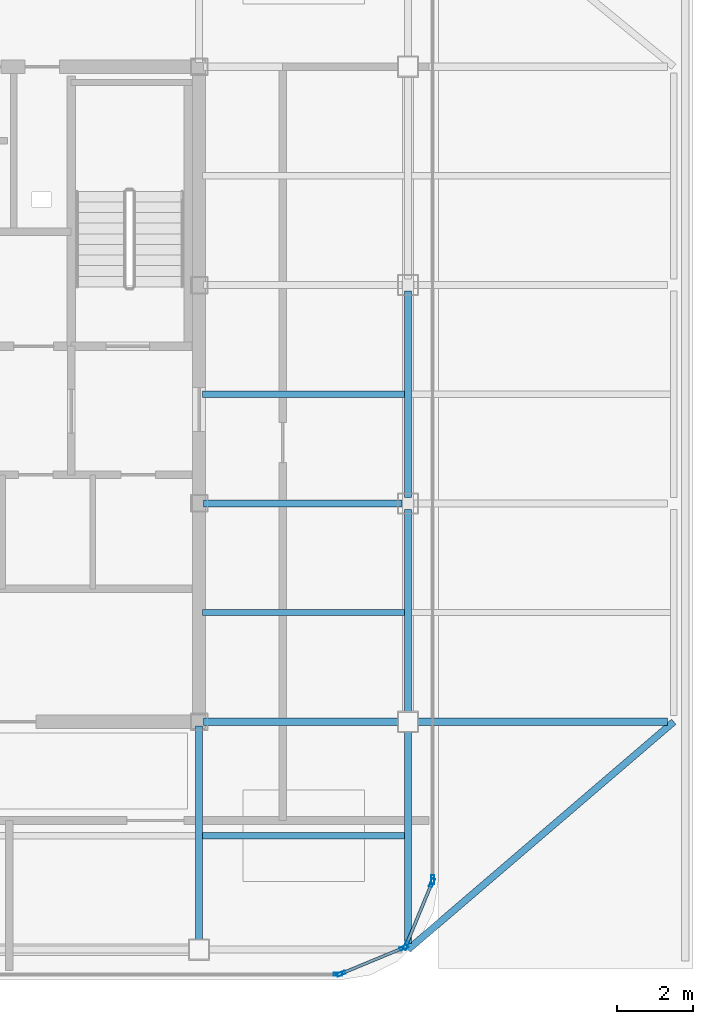
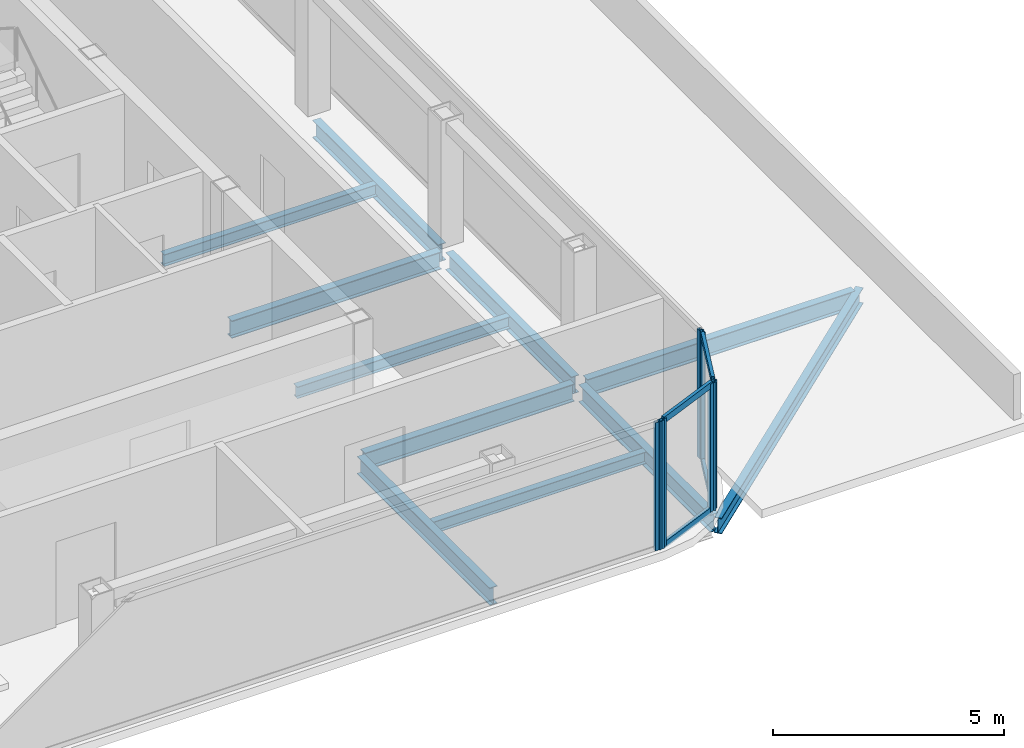
# One storey, part 4 of 11: 11 beams, 10 members, 4 elements without a shape of their own.
"""IFC4 building model written with IfcOpenShell, lengths in metres."""

import ifcopenshell
import ifcopenshell.guid

model = None  # the IFC model being written
_history = None  # IfcOwnerHistory: only IFC2X3 demands one
_inside = {}  # id of a spatial element -> (the spatial element, [elements in it])
_under = {}  # id of a project, library or spatial element -> (it, [spatial elements below it])
_declared = {}  # id of a project -> (the project, [libraries it declares])
_typed = {}  # id of a type object -> (the type object, [elements of that type])
_made_of = {}  # id of a material, layer set ... -> (it, [elements and type objects made of it])


def new_model(schema):
    """Start an empty IFC model of exactly this schema.

    Asked for "IFC4X3", IfcOpenShell would pick the latest addendum, in which some entities
    have other attributes; the version numbers below select the first issue.
    IFC2X3 requires an IfcOwnerHistory on every rooted entity: one is made here for all.
    """
    global model, _history
    if schema == "IFC4X3":
        model = ifcopenshell.file(schema_version=(4, 3, 0, 0))
    else:
        model = ifcopenshell.file(schema=schema)
    _inside.clear()
    _under.clear()
    _declared.clear()
    _typed.clear()
    _made_of.clear()
    _history = None
    if model.schema == "IFC2X3":
        org = make("IfcOrganization", Name="unknown")
        user = make(
            "IfcPersonAndOrganization",
            ThePerson=make("IfcPerson", FamilyName="unknown"),
            TheOrganization=org,
        )
        app = make(
            "IfcApplication",
            ApplicationDeveloper=org,
            Version="unknown",
            ApplicationFullName="unknown",
            ApplicationIdentifier="unknown",
        )
        _history = make(
            "IfcOwnerHistory",
            OwningUser=user,
            OwningApplication=app,
            ChangeAction="ADDED",
            CreationDate=0,
        )
    return model


def make(cls, **values):
    """One entity of the class cls with the attributes given. An attribute that is None is left unset."""
    return model.create_entity(
        cls, **{name: value for name, value in values.items() if value is not None}
    )


def rooted(cls, **values):
    """An entity with a GlobalId (a new one), such as an element, a storey or a relation."""
    return make(cls, GlobalId=ifcopenshell.guid.new(), OwnerHistory=_history, **values)


def si_unit(unit_type, name, prefix=None):
    """IfcSIUnit, for example si_unit("LENGTHUNIT", "METRE", prefix="MILLI")."""
    return make("IfcSIUnit", UnitType=unit_type, Prefix=prefix, Name=name)


def assignment(units):
    """IfcUnitAssignment: the units of a project."""
    return None if units is None else make("IfcUnitAssignment", Units=units)


def point(xyz):
    """IfcCartesianPoint."""
    return None if xyz is None else make("IfcCartesianPoint", Coordinates=xyz)


def direction(xyz):
    """IfcDirection."""
    return None if xyz is None else make("IfcDirection", DirectionRatios=xyz)


def frame(location, z_axis=None, x_axis=None):
    """IfcAxis2Placement3D, a coordinate frame: its origin and axes. An axis left out is left unset."""
    return make(
        "IfcAxis2Placement3D",
        Location=point(location),
        Axis=direction(z_axis),
        RefDirection=direction(x_axis),
    )


def frame_2d(location, x_axis=None):
    """IfcAxis2Placement2D, a coordinate frame in the plane: its origin and x axis."""
    return make(
        "IfcAxis2Placement2D", Location=point(location), RefDirection=direction(x_axis)
    )


def origin():
    """The frame at (0, 0, 0) with its axes left unset."""
    return frame((0.0, 0.0, 0.0))


def origin_2d():
    """The frame at (0, 0) in the plane with its x axis left unset."""
    return frame_2d((0.0, 0.0))


def place(relative_to, where):
    """IfcLocalPlacement: puts the frame where relative to a parent placement (None: the world)."""
    return make(
        "IfcLocalPlacement", PlacementRelTo=relative_to, RelativePlacement=where
    )


def context(
    kind, dimensions, precision=None, world=None, true_north=None, identifier=None
):
    """IfcGeometricRepresentationContext, for example the 3D "Model" context."""
    return make(
        "IfcGeometricRepresentationContext",
        ContextIdentifier=identifier,
        ContextType=kind,
        CoordinateSpaceDimension=dimensions,
        Precision=precision,
        WorldCoordinateSystem=world,
        TrueNorth=true_north,
    )


def subcontext(parent, identifier, kind, view, scale=None):
    """IfcGeometricRepresentationSubContext, for example "Body" below "Model"."""
    return make(
        "IfcGeometricRepresentationSubContext",
        ContextIdentifier=identifier,
        ContextType=kind,
        ParentContext=parent,
        TargetScale=scale,
        TargetView=view,
    )


def project(units=None, contexts=None):
    """IfcProject with its units and contexts."""
    return rooted(
        "IfcProject",
        Name="project",
        RepresentationContexts=contexts,
        UnitsInContext=assignment(units),
    )


def spatial(cls, under=None, at=None, **own):
    """A site, building, storey or space (cls), placed at a placement, below another one or the project."""
    s = rooted(cls, ObjectPlacement=at, **own)
    if under is not None:
        _under.setdefault(under.id(), (under, []))[1].append(s)
    return s


def profile(cls, at=None, kind="AREA", **sizes):
    """A parametric profile (cls). Its sizes go by their IFC names, for example OverallWidth=200.0."""
    return make(cls, ProfileType=kind, Position=at, **sizes)


def hollow_rectangle(**sizes):
    """IfcRectangleHollowProfileDef."""
    return profile("IfcRectangleHollowProfileDef", **sizes)


def i_section(**sizes):
    """IfcIShapeProfileDef."""
    return profile("IfcIShapeProfileDef", **sizes)


def extrude(swept, where, along, depth):
    """IfcExtrudedAreaSolid: the profile swept, set in the frame where, extruded along a direction by depth."""
    return make(
        "IfcExtrudedAreaSolid",
        SweptArea=swept,
        Position=where,
        ExtrudedDirection=direction(along),
        Depth=depth,
    )


def shape(context_of_items, identifier, shape_type, items):
    """IfcShapeRepresentation: the items that make up one representation, for example the "Body"."""
    return make(
        "IfcShapeRepresentation",
        ContextOfItems=context_of_items,
        RepresentationIdentifier=identifier,
        RepresentationType=shape_type,
        Items=items,
    )


def source(mapping_origin, context_of_items, identifier, shape_type, items):
    """IfcRepresentationMap: a shape defined once, which mapped items show again and again."""
    return make(
        "IfcRepresentationMap",
        MappingOrigin=mapping_origin,
        MappedRepresentation=shape(context_of_items, identifier, shape_type, items),
    )


def transform(
    local_origin,
    x_axis=None,
    y_axis=None,
    z_axis=None,
    scale=None,
    scale2=None,
    scale3=None,
    uniform=True,
):
    """IfcCartesianTransformationOperator3D, or its non-uniform kind. x_axis, y_axis, z_axis: its Axis1, 2, 3."""
    if uniform:
        return make(
            "IfcCartesianTransformationOperator3D",
            Axis1=direction(x_axis),
            Axis2=direction(y_axis),
            LocalOrigin=point(local_origin),
            Scale=scale,
            Axis3=direction(z_axis),
        )
    return make(
        "IfcCartesianTransformationOperator3DnonUniform",
        Axis1=direction(x_axis),
        Axis2=direction(y_axis),
        LocalOrigin=point(local_origin),
        Scale=scale,
        Axis3=direction(z_axis),
        Scale2=scale2,
        Scale3=scale3,
    )


def mapped(mapping_source, mapping_target):
    """IfcMappedItem: shows the shape of a source again, moved by a transform."""
    return make(
        "IfcMappedItem", MappingSource=mapping_source, MappingTarget=mapping_target
    )


def material(Name=None, Category=None):
    """IfcMaterial."""
    return make("IfcMaterial", Name=Name, Category=Category)


def layer(
    of_material, thickness, ventilated=None, Name=None, Category=None, Priority=None
):
    """IfcMaterialLayer: one layer of a wall or slab, of a material (None: an air gap)."""
    return make(
        "IfcMaterialLayer",
        Material=of_material,
        LayerThickness=thickness,
        IsVentilated=ventilated,
        Name=Name,
        Category=Category,
        Priority=Priority,
    )


def layer_set(layers, Name=None):
    """IfcMaterialLayerSet."""
    return make("IfcMaterialLayerSet", MaterialLayers=layers, LayerSetName=Name)


def material_profile(
    of_material, cross_section, Name=None, Category=None, Priority=None
):
    """IfcMaterialProfile: a cross section and its material."""
    return make(
        "IfcMaterialProfile",
        Name=Name,
        Material=of_material,
        Profile=cross_section,
        Priority=Priority,
        Category=Category,
    )


def profile_set(profiles, Name=None, composite=None):
    """IfcMaterialProfileSet."""
    return make(
        "IfcMaterialProfileSet",
        Name=Name,
        MaterialProfiles=profiles,
        CompositeProfile=composite,
    )


def made_of(thing, what):
    """Note that an element or type object is made of a material, layer set ...; save() writes the relation."""
    if what is not None:
        _made_of.setdefault(what.id(), (what, []))[1].append(thing)
    return thing


def type_object(cls, material=None, **own):
    """A type object (cls), such as IfcWallType, which elements share."""
    return made_of(rooted(cls, **own), material)


def element(
    cls,
    number,
    at=None,
    inside=None,
    cuts=None,
    type_object=None,
    material=None,
    context=None,
    identifier="Body",
    shape_type=None,
    held_by="IfcProductDefinitionShape",
    body=None,
    shapes=None,
    **own,
):
    """One element of the class cls, such as IfcWall. Its Tag is "e" and its number.

    at: its placement. inside: the storey or other place that contains it. cuts: it is an
    opening in that element (IfcRelVoidsElement). A single representation is given by context,
    identifier, shape_type and body (its items); several are given by shapes. held_by: the class
    of the entity that holds the representations. save() writes the other relations.
    """
    e = rooted(cls, Tag="e%d" % number, ObjectPlacement=at, **own)
    if body is not None:
        shapes = [shape(context, identifier, shape_type, body)]
    if shapes is not None:
        e.Representation = make(held_by, Representations=shapes)
    if inside is not None:
        _inside.setdefault(inside.id(), (inside, []))[1].append(e)
    if cuts is not None:
        rooted(
            "IfcRelVoidsElement", RelatingBuildingElement=cuts, RelatedOpeningElement=e
        )
    if type_object is not None:
        _typed.setdefault(type_object.id(), (type_object, []))[1].append(e)
    return made_of(e, material)


def aggregate(whole, parts):
    """IfcRelAggregates: a whole, such as a stair, and the parts it consists of."""
    return rooted("IfcRelAggregates", RelatingObject=whole, RelatedObjects=parts)


def save(model, path):
    """Write the relations noted so far, then the file.

    IfcRelAggregates (storeys below a building ...), IfcRelContainedInSpatialStructure (elements
    in a storey), IfcRelDefinesByType, IfcRelAssociatesMaterial and IfcRelDeclares: one each for
    every whole, place, type object, material and project.
    """
    for whole, parts in _under.values():
        aggregate(whole, parts)
    for where, things in _inside.values():
        rooted(
            "IfcRelContainedInSpatialStructure",
            RelatedElements=things,
            RelatingStructure=where,
        )
    for kind, things in _typed.values():
        rooted("IfcRelDefinesByType", RelatedObjects=things, RelatingType=kind)
    for what, things in _made_of.values():
        rooted("IfcRelAssociatesMaterial", RelatedObjects=things, RelatingMaterial=what)
    for by, libraries in _declared.values():
        rooted("IfcRelDeclares", RelatingContext=by, RelatedDefinitions=libraries)
    model.write(path)


model = new_model("IFC4")

# Units and contexts
model_context = context("Model", 3, precision=1e-05, world=origin(), true_north=direction((0.0, 1.0)))
body_context = subcontext(model_context, "Body", "Model", "MODEL_VIEW")
ifc_project = project(units=[si_unit("LENGTHUNIT", "METRE"), si_unit("AREAUNIT", "SQUARE_METRE"), si_unit("VOLUMEUNIT", "CUBIC_METRE"), si_unit("PLANEANGLEUNIT", "RADIAN"), si_unit("MASSUNIT", "GRAM", prefix="KILO")], contexts=[model_context])

# Site, building, storey
site_placement = place(None, origin())
site = spatial("IfcSite", under=ifc_project, at=site_placement, CompositionType="ELEMENT")
building_placement = place(site_placement, origin())
building = spatial("IfcBuilding", under=site, at=building_placement, Name="Kolveth Station Tower", CompositionType="ELEMENT")
storey_placement = place(building_placement, frame((0.0, 0.0, 285.699951171875)))
storey = spatial("IfcBuildingStorey", under=building, at=storey_placement, Name="L82", CompositionType="ELEMENT", Elevation=285.699951171875)

# Beams
ifc_material_1 = material(Name="Steel S355", Category="steel")
ifc_material_profile_1 = material_profile(ifc_material_1, i_section(OverallWidth=0.180908203125, OverallDepth=0.4169921875, WebThickness=0.010986328125, FlangeThickness=0.018310546875, at=origin_2d()), Name="W410x85")
ifc_profile_set_1 = profile_set([ifc_material_profile_1], Name="Steel S355")
beam_type_1 = type_object("IfcBeamType", Name="Beam_B8", PredefinedType="BEAM", material=ifc_profile_set_1)
shared_shape_1 = source(origin(), body_context, "Body", "SweptSolid", [
    extrude(i_section(OverallWidth=0.180908203125, OverallDepth=0.4169921875, WebThickness=0.010986328125, FlangeThickness=0.018310546875, at=origin_2d()), origin(), (0.0, 0.0, 1.0), 9.219482421875),
])
beam_1_placement = place(storey_placement, frame((34.0, 5.5, -0.428466796875), z_axis=(0.759256602365, 0.650791373456, 0.0), x_axis=(-0.650791373456, 0.759256602365, 0.0)))
element("IfcBeam", 1, at=beam_1_placement, inside=storey, type_object=beam_type_1, Name="L82 Corner Edge Girder BM-L82-CNR-SE", PredefinedType="BEAM", context=body_context, shape_type="MappedRepresentation", body=[
    mapped(shared_shape_1, transform((0.0, 0.0, 0.0), x_axis=(1.0, 0.0, 0.0), y_axis=(0.0, 1.0, 0.0), z_axis=(0.0, 0.0, 1.0), scale=1.0)),
])
ifc_material_profile_2 = material_profile(ifc_material_1, i_section(OverallWidth=0.19091796875, OverallDepth=0.4599609375, WebThickness=0.010009765625, FlangeThickness=0.01611328125, at=origin_2d()), Name="W460x82")
ifc_profile_set_2 = profile_set([ifc_material_profile_2], Name="Steel S355")
beam_type_2 = type_object("IfcBeamType", Name="Beam_B7", PredefinedType="BEAM", material=ifc_profile_set_2)
shared_shape_2 = source(origin(), body_context, "Body", "SweptSolid", [
    extrude(i_section(OverallWidth=0.19091796875, OverallDepth=0.4599609375, WebThickness=0.010009765625, FlangeThickness=0.01611328125, at=origin_2d()), origin(), (0.0, 0.0, 1.0), 6.68017578125),
])
beam_2_placement = place(storey_placement, frame((34.159912109375, 11.5, -0.449951171875), z_axis=(1.0, 0.0, 0.0), x_axis=(0.0, 1.0, 0.0)))
element("IfcBeam", 2, at=beam_2_placement, inside=storey, type_object=beam_type_2, Name="L82 Primary Girder BM-L82-GY115-4", PredefinedType="BEAM", context=body_context, shape_type="MappedRepresentation", body=[
    mapped(shared_shape_2, transform((0.0, 0.0, 0.0), x_axis=(1.0, 0.0, 0.0), y_axis=(0.0, 1.0, 0.0), z_axis=(0.0, 0.0, 1.0), scale=1.0)),
])
shared_shape_3 = source(origin(), body_context, "Body", "SweptSolid", [
    extrude(i_section(OverallWidth=0.19091796875, OverallDepth=0.4599609375, WebThickness=0.010009765625, FlangeThickness=0.01611328125, at=origin_2d()), origin(), (0.0, 0.0, 1.0), 5.22998046875),
])
for number, where, z_axis, x_axis, name in (
    (3, (28.610107421875, 11.5, -0.449951171875), (1.0, 0.0, 0.0), (0.0, 1.0, 0.0), "L82 Primary Girder BM-L82-GY115-3"),
    (4, (28.610107421875, 17.25, -0.449951171875), (1.0, 0.0, 0.0), (0.0, 1.0, 0.0), "L82 Primary Girder BM-L82-GY172-3"),
):
    element("IfcBeam", number, at=place(storey_placement, frame(where, z_axis=z_axis, x_axis=x_axis)), inside=storey, type_object=beam_type_2, Name=name, PredefinedType="BEAM", context=body_context, shape_type="MappedRepresentation", body=[
        mapped(shared_shape_3, transform((0.0, 0.0, 0.0), x_axis=(1.0, 0.0, 0.0), y_axis=(0.0, 1.0, 0.0), z_axis=(0.0, 0.0, 1.0), scale=1.0)),
    ])
shared_shape_4 = source(origin(), body_context, "Body", "SweptSolid", [
    extrude(i_section(OverallWidth=0.19091796875, OverallDepth=0.4599609375, WebThickness=0.010009765625, FlangeThickness=0.01611328125, at=origin_2d()), origin(), (0.0, 0.0, 1.0), 5.68017578125),
])
beam_3_placement = place(storey_placement, frame((34.0, 5.659912109375, -0.449951171875), z_axis=(0.0, 1.0, 0.0), x_axis=(-1.0, 0.0, 0.0)))
element("IfcBeam", 5, at=beam_3_placement, inside=storey, type_object=beam_type_2, Name="L82 Primary Girder BM-L82-GX340-1", PredefinedType="BEAM", context=body_context, shape_type="MappedRepresentation", body=[
    mapped(shared_shape_4, transform((0.0, 0.0, 0.0), x_axis=(1.0, 0.0, 0.0), y_axis=(0.0, 1.0, 0.0), z_axis=(0.0, 0.0, 1.0), scale=1.0)),
])
shared_shape_5 = source(origin(), body_context, "Body", "SweptSolid", [
    extrude(i_section(OverallWidth=0.19091796875, OverallDepth=0.4599609375, WebThickness=0.010009765625, FlangeThickness=0.01611328125, at=origin_2d()), origin(), (0.0, 0.0, 1.0), 5.43017578125),
])
for number, where, z_axis, x_axis, name in (
    (6, (34.0, 11.659912109375, -0.449951171875), (0.0, 1.0, 0.0), (-1.0, 0.0, 0.0), "L82 Primary Girder BM-L82-GX340-2"),
    (7, (34.0, 17.409912109375, -0.449951171875), (0.0, 1.0, 0.0), (-1.0, 0.0, 0.0), "L82 Primary Girder BM-L82-GX340-3"),
):
    element("IfcBeam", number, at=place(storey_placement, frame(where, z_axis=z_axis, x_axis=x_axis)), inside=storey, type_object=beam_type_2, Name=name, PredefinedType="BEAM", context=body_context, shape_type="MappedRepresentation", body=[
        mapped(shared_shape_5, transform((0.0, 0.0, 0.0), x_axis=(1.0, 0.0, 0.0), y_axis=(0.0, 1.0, 0.0), z_axis=(0.0, 0.0, 1.0), scale=1.0)),
    ])
shared_shape_6 = source(origin(), body_context, "Body", "SweptSolid", [
    extrude(i_section(OverallWidth=0.19091796875, OverallDepth=0.4599609375, WebThickness=0.010009765625, FlangeThickness=0.01611328125, at=origin_2d()), origin(), (0.0, 0.0, 1.0), 5.72998046875),
])
beam_4_placement = place(storey_placement, frame((28.5, 5.659912109375, -0.449951171875), z_axis=(0.0, 1.0, 0.0), x_axis=(-1.0, 0.0, 0.0)))
element("IfcBeam", 8, at=beam_4_placement, inside=storey, type_object=beam_type_2, Name="L82 Primary Girder BM-L82-GX285-1", PredefinedType="BEAM", context=body_context, shape_type="MappedRepresentation", body=[
    mapped(shared_shape_6, transform((0.0, 0.0, 0.0), x_axis=(1.0, 0.0, 0.0), y_axis=(0.0, 1.0, 0.0), z_axis=(0.0, 0.0, 1.0), scale=1.0)),
])
ifc_material_profile_3 = material_profile(ifc_material_1, i_section(OverallWidth=0.1650390625, OverallDepth=0.31005859375, WebThickness=0.005859375, FlangeThickness=0.009765625, at=origin_2d()), Name="W310x39")
ifc_profile_set_3 = profile_set([ifc_material_profile_3], Name="Steel S355")
beam_type_3 = type_object("IfcBeamType", Name="Beam_J3", PredefinedType="JOIST", material=ifc_profile_set_3)
shared_shape_7 = source(origin(), body_context, "Body", "SweptSolid", [
    extrude(i_section(OverallWidth=0.1650390625, OverallDepth=0.31005859375, WebThickness=0.005859375, FlangeThickness=0.009765625, at=origin_2d()), origin(), (0.0, 0.0, 1.0), 5.31298828125),
])
for number, where, z_axis, x_axis, name in (
    (9, (28.593505859375, 8.5, -0.375), (1.0, 0.0, 0.0), (0.0, 1.0, 0.0), "L82 Secondary Joist JST-L82-3-1"),
    (10, (28.593505859375, 14.375, -0.375), (1.0, 0.0, 0.0), (0.0, 1.0, 0.0), "L82 Secondary Joist JST-L82-3-2"),
    (11, (28.593505859375, 20.125, -0.375), (1.0, 0.0, 0.0), (0.0, 1.0, 0.0), "L82 Secondary Joist JST-L82-3-3"),
):
    element("IfcBeam", number, at=place(storey_placement, frame(where, z_axis=z_axis, x_axis=x_axis)), inside=storey, type_object=beam_type_3, Name=name, PredefinedType="JOIST", context=body_context, shape_type="MappedRepresentation", body=[
        mapped(shared_shape_7, transform((0.0, 0.0, 0.0), x_axis=(1.0, 0.0, 0.0), y_axis=(0.0, 1.0, 0.0), z_axis=(0.0, 0.0, 1.0), scale=1.0)),
    ])

# Curtain wall, members
ifc_material_2 = material(Name="Black anodized aluminium 6063-T6 and dark crown glass", Category="aluminium")
ifc_layer = layer(ifc_material_2, 0.169921875)
ifc_layer_set = layer_set([ifc_layer], Name="Black anodized aluminium 6063-T6 and dark crown glass")
curtain_wall_type = type_object("IfcCurtainWallType", Name="CurtainWall_CW-CR", PredefinedType="NOTDEFINED", material=ifc_layer_set)
curtain_wall_1_placement = place(storey_placement, origin())
curtain_wall_1 = element("IfcCurtainWall", 12, at=curtain_wall_1_placement, inside=storey, type_object=curtain_wall_type, Name="L82 Stepped Crown Curtain Wall 1", PredefinedType="NOTDEFINED")
ifc_material_3 = material(Name="Black anodized aluminium 6063-T6", Category="aluminium")
ifc_material_profile_4 = material_profile(ifc_material_3, hollow_rectangle(XDim=0.0849609375, YDim=0.22998046875, WallThickness=0.0048828125, at=origin_2d()), Name="ALU-85x230x5")
ifc_profile_set_4 = profile_set([ifc_material_profile_4], Name="Black anodized aluminium 6063-T6")
member_type_1 = type_object("IfcMemberType", Name="Mullion_ML-CR", PredefinedType="MULLION", material=ifc_profile_set_4)
shared_shape_8 = source(origin(), body_context, "Body", "SweptSolid", [
    extrude(hollow_rectangle(XDim=0.0849609375, YDim=0.22998046875, WallThickness=0.0048828125, at=origin_2d()), origin(), (0.0, 0.0, 1.0), 3.380126953125),
])
member_1_placement = place(storey_placement, frame((32.2392578125, 4.8662109375, 0.0), z_axis=(0.0, 0.0, 1.0), x_axis=(-0.382690908701, 0.923876435676, 0.0)))
member_1 = element("IfcMember", 13, at=member_1_placement, type_object=member_type_1, Name="CW-CR mullion 1", PredefinedType="MULLION", context=body_context, shape_type="MappedRepresentation", body=[
    mapped(shared_shape_8, transform((0.0, 0.0, 0.0), x_axis=(1.0, 0.0, 0.0), y_axis=(0.0, 1.0, 0.0), z_axis=(0.0, 0.0, 1.0), scale=1.0)),
])
member_2_placement = place(storey_placement, frame((33.89306640625, 5.55126953125, 0.0), z_axis=(0.0, 0.0, 1.0), x_axis=(-0.382690908701, 0.923876435676, 0.0)))
member_2 = element("IfcMember", 14, at=member_2_placement, type_object=member_type_1, Name="CW-CR mullion 2", PredefinedType="MULLION", context=body_context, shape_type="MappedRepresentation", body=[
    mapped(shared_shape_8, transform((0.0, 0.0, 0.0), x_axis=(1.0, 0.0, 0.0), y_axis=(0.0, 1.0, 0.0), z_axis=(0.0, 0.0, 1.0), scale=1.0)),
])

curtain_wall_2_placement = place(storey_placement, origin())
curtain_wall_2 = element("IfcCurtainWall", 15, at=curtain_wall_2_placement, inside=storey, type_object=curtain_wall_type, Name="L82 Stepped Crown Curtain Wall 2", PredefinedType="NOTDEFINED")
member_3_placement = place(storey_placement, frame((33.94873046875, 5.60693359375, 0.0), z_axis=(0.0, 0.0, 1.0), x_axis=(-0.923876435676, 0.382690908701, 0.0)))
member_3 = element("IfcMember", 16, at=member_3_placement, type_object=member_type_1, Name="CW-CR mullion 1", PredefinedType="MULLION", context=body_context, shape_type="MappedRepresentation", body=[
    mapped(shared_shape_8, transform((0.0, 0.0, 0.0), x_axis=(1.0, 0.0, 0.0), y_axis=(0.0, 1.0, 0.0), z_axis=(0.0, 0.0, 1.0), scale=1.0)),
])
member_4_placement = place(storey_placement, frame((34.6337890625, 7.2607421875, 0.0), z_axis=(0.0, 0.0, 1.0), x_axis=(-0.923876435676, 0.382690908701, 0.0)))
member_4 = element("IfcMember", 17, at=member_4_placement, type_object=member_type_1, Name="CW-CR mullion 2", PredefinedType="MULLION", context=body_context, shape_type="MappedRepresentation", body=[
    mapped(shared_shape_8, transform((0.0, 0.0, 0.0), x_axis=(1.0, 0.0, 0.0), y_axis=(0.0, 1.0, 0.0), z_axis=(0.0, 0.0, 1.0), scale=1.0)),
])

# Curtain wall, member
curtain_wall_3_placement = place(storey_placement, origin())
curtain_wall_3 = element("IfcCurtainWall", 18, at=curtain_wall_3_placement, inside=storey, type_object=curtain_wall_type, Name="L82 Stepped Crown Curtain Wall 3", PredefinedType="NOTDEFINED")
member_5_placement = place(storey_placement, frame((34.64990234375, 7.342529296875, 0.0), z_axis=(0.0, 0.0, 1.0), x_axis=(-1.0, 0.0, 0.0)))
member_5 = element("IfcMember", 19, at=member_5_placement, type_object=member_type_1, Name="CW-CR mullion 1", PredefinedType="MULLION", context=body_context, shape_type="MappedRepresentation", body=[
    mapped(shared_shape_8, transform((0.0, 0.0, 0.0), x_axis=(1.0, 0.0, 0.0), y_axis=(0.0, 1.0, 0.0), z_axis=(0.0, 0.0, 1.0), scale=1.0)),
])
aggregate(curtain_wall_3, [member_5])

curtain_wall_4_placement = place(storey_placement, origin())
curtain_wall_4 = element("IfcCurtainWall", 20, at=curtain_wall_4_placement, inside=storey, type_object=curtain_wall_type, Name="L82 Stepped Crown Curtain Wall 12", PredefinedType="NOTDEFINED")
member_6_placement = place(storey_placement, frame((32.157470703125, 4.85009765625, 0.0), z_axis=(0.0, 0.0, 1.0), x_axis=(0.0, 1.0, 0.0)))
member_6 = element("IfcMember", 21, at=member_6_placement, type_object=member_type_1, Name="CW-CR mullion 2", PredefinedType="MULLION", context=body_context, shape_type="MappedRepresentation", body=[
    mapped(shared_shape_8, transform((0.0, 0.0, 0.0), x_axis=(1.0, 0.0, 0.0), y_axis=(0.0, 1.0, 0.0), z_axis=(0.0, 0.0, 1.0), scale=1.0)),
])
aggregate(curtain_wall_4, [member_6])

# Member
ifc_material_profile_5 = material_profile(ifc_material_3, hollow_rectangle(XDim=0.080078125, YDim=0.1650390625, WallThickness=0.0048828125, at=origin_2d()), Name="ALU-80x165x5")
ifc_profile_set_5 = profile_set([ifc_material_profile_5], Name="Black anodized aluminium 6063-T6")
member_type_2 = type_object("IfcMemberType", Name="Transom_TR-CR", PredefinedType="USERDEFINED", material=ifc_profile_set_5)
shared_shape_9 = source(origin(), body_context, "Body", "SweptSolid", [
    extrude(hollow_rectangle(XDim=0.080078125, YDim=0.1650390625, WallThickness=0.0048828125, at=origin_2d()), origin(), (0.0, 0.0, 1.0), 1.705078125),
])
member_7_placement = place(storey_placement, frame((32.278564453125, 4.882568359375, 0.0400390625), z_axis=(0.923854516996, 0.38274381958, 0.0), x_axis=(-0.38274381958, 0.923854516996, 0.0)))
member_7 = element("IfcMember", 22, at=member_7_placement, type_object=member_type_2, Name="CW-CR transom 1.1", ObjectType="TRANSOM", PredefinedType="USERDEFINED", context=body_context, shape_type="MappedRepresentation", body=[
    mapped(shared_shape_9, transform((0.0, 0.0, 0.0), x_axis=(1.0, 0.0, 0.0), y_axis=(0.0, 1.0, 0.0), z_axis=(0.0, 0.0, 1.0), scale=1.0)),
])

member_8_placement = place(storey_placement, frame((32.278564453125, 4.882568359375, 3.340087890625), z_axis=(0.923854516996, 0.38274381958, 0.0), x_axis=(-0.38274381958, 0.923854516996, 0.0)))
member_8 = element("IfcMember", 23, at=member_8_placement, type_object=member_type_2, Name="CW-CR transom 1.2", ObjectType="TRANSOM", PredefinedType="USERDEFINED", context=body_context, shape_type="MappedRepresentation", body=[
    mapped(shared_shape_9, transform((0.0, 0.0, 0.0), x_axis=(1.0, 0.0, 0.0), y_axis=(0.0, 1.0, 0.0), z_axis=(0.0, 0.0, 1.0), scale=1.0)),
])

aggregate(curtain_wall_1, [member_1, member_2, member_7, member_8])

member_9_placement = place(storey_placement, frame((33.96484375, 5.646240234375, 0.0400390625), z_axis=(0.38274381958, 0.923854516996, 0.0), x_axis=(-0.923854516996, 0.38274381958, 0.0)))
member_9 = element("IfcMember", 24, at=member_9_placement, type_object=member_type_2, Name="CW-CR transom 1.1", ObjectType="TRANSOM", PredefinedType="USERDEFINED", context=body_context, shape_type="MappedRepresentation", body=[
    mapped(shared_shape_9, transform((0.0, 0.0, 0.0), x_axis=(1.0, 0.0, 0.0), y_axis=(0.0, 1.0, 0.0), z_axis=(0.0, 0.0, 1.0), scale=1.0)),
])

member_10_placement = place(storey_placement, frame((33.96484375, 5.646240234375, 3.340087890625), z_axis=(0.38274381958, 0.923854516996, 0.0), x_axis=(-0.923854516996, 0.38274381958, 0.0)))
member_10 = element("IfcMember", 25, at=member_10_placement, type_object=member_type_2, Name="CW-CR transom 1.2", ObjectType="TRANSOM", PredefinedType="USERDEFINED", context=body_context, shape_type="MappedRepresentation", body=[
    mapped(shared_shape_9, transform((0.0, 0.0, 0.0), x_axis=(1.0, 0.0, 0.0), y_axis=(0.0, 1.0, 0.0), z_axis=(0.0, 0.0, 1.0), scale=1.0)),
])

aggregate(curtain_wall_2, [member_3, member_4, member_9, member_10])

save(model, "model.ifc")
